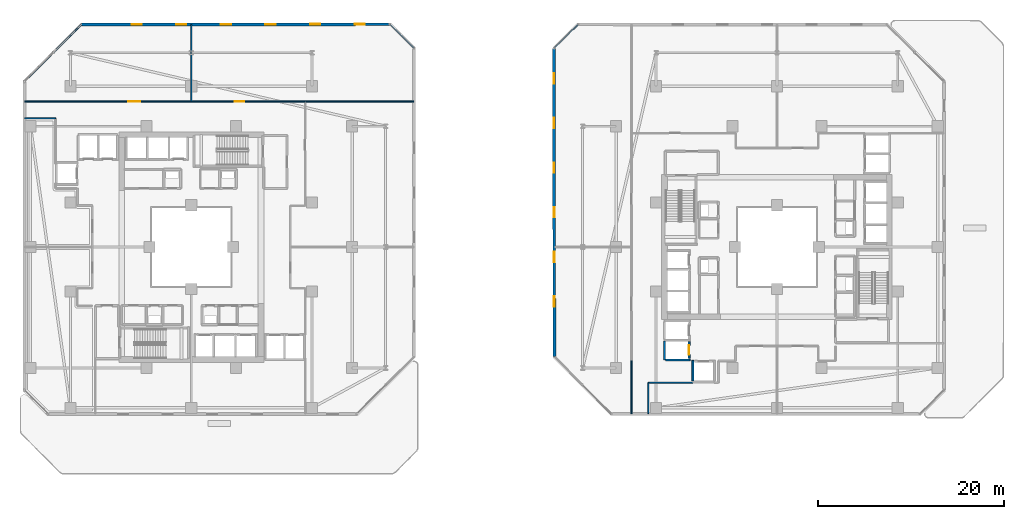
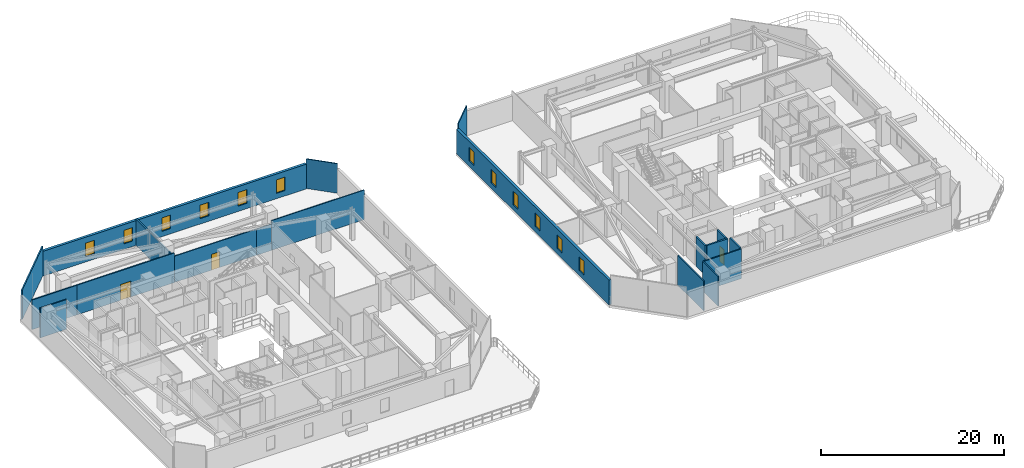
# One storey, part 19 of 30: 19 walls, 12 windows, 3 doors, 15 openings.
"""IFC4 building model written with IfcOpenShell, lengths in metres."""

from ifc_helpers import new_model, si_unit, direction, frame, frame_2d, origin, place, context, subcontext, project, spatial, rectangle, extrude, material, layer, layer_set, type_object, element, fill, save


model = new_model("IFC4")

# Units and contexts
model_context = context("Model", 3, precision=1e-05, world=origin(), true_north=direction((0.0, 1.0)))
body_context = subcontext(model_context, "Body", "Model", "MODEL_VIEW")
ifc_project = project(units=[si_unit("LENGTHUNIT", "METRE"), si_unit("AREAUNIT", "SQUARE_METRE"), si_unit("VOLUMEUNIT", "CUBIC_METRE"), si_unit("PLANEANGLEUNIT", "RADIAN"), si_unit("MASSUNIT", "GRAM", prefix="KILO")], contexts=[model_context])

# Site, building, storey
site_placement = place(None, origin())
site = spatial("IfcSite", under=ifc_project, at=site_placement, CompositionType="ELEMENT")
building_placement = place(site_placement, origin())
building = spatial("IfcBuilding", under=site, at=building_placement, Name="Thornwick Lancets Civic Towers", CompositionType="ELEMENT")
storey_placement = place(building_placement, frame((0.0, 0.0, 75.89990234375)))
storey = spatial("IfcBuildingStorey", under=building, at=storey_placement, Name="L19", CompositionType="ELEMENT", Elevation=75.89990234375)

# Wall, opening, door
ifc_material_1 = material(Name="Concrete blockwork C40/50", Category="masonry")
ifc_layer_1 = layer(ifc_material_1, 0.199951171875, Name="Concrete blockwork C40/50")
ifc_layer_set_1 = layer_set([ifc_layer_1], Name="Concrete blockwork C40/50")
wall_type_1 = type_object("IfcWallType", Name="WALL_COMP_200", PredefinedType="STANDARD", material=ifc_layer_set_1)
wall_1_placement = place(storey_placement, frame((79.050048828125, 15.030029296875, 0.0), z_axis=(0.0, 0.0, 1.0), x_axis=(0.0, 1.0, 0.0)))
wall_1 = element("IfcWall", 1, at=wall_1_placement, inside=storey, type_object=wall_type_1, Name="L19 Hoistway Front Wall PL-BM2", PredefinedType="STANDARD", context=body_context, shape_type="SweptSolid", body=[
    extrude(rectangle(XDim=1.7900390625, YDim=0.199951171875, at=frame_2d((0.89501953125, 0.0))), origin(), (0.0, 0.0, 1.0), 3.940185546875),
])
opening_1_placement = place(wall_1_placement, frame((0.385009765625, 0.0, 0.0)))
opening_1 = element("IfcOpeningElement", 2, at=opening_1_placement, cuts=wall_1, Name="Opening LD-PL-BM2", PredefinedType="OPENING", context=body_context, shape_type="SweptSolid", body=[
    extrude(rectangle(XDim=1.02001953125, YDim=2.06005859375, at=frame_2d((0.510009765625, 1.030029296875))), frame((0.0, 0.10986328125, 0.0), z_axis=(0.0, -1.0, 0.0), x_axis=(1.0, 0.0, 0.0)), (0.0, 0.0, 1.0), 0.219970703125),
])
ifc_material_2 = material(Name="Brushed bronze stainless steel", Category="steel")
door_type_1 = type_object("IfcDoorType", Name="DOOR_LIFT_SLIDE", OperationType="SLIDING_TO_LEFT", PredefinedType="DOOR", material=ifc_material_2)
door_1_placement = place(opening_1_placement, origin())
door_1 = element("IfcDoor", 3, at=door_1_placement, inside=storey, type_object=door_type_1, Name="L19 Sliding Lift Landing Door LD-PL-BM2", OperationType="SLIDING_TO_LEFT", OverallHeight=2.06005859375, OverallWidth=1.02001953125, PredefinedType="DOOR", context=body_context, shape_type="SweptSolid", body=[
    extrude(rectangle(XDim=1.02001953125, YDim=2.06005859375, at=frame_2d((0.510009765625, 1.030029296875))), frame((0.0, 0.02490234375, 0.0), z_axis=(0.0, -1.0, 0.0), x_axis=(1.0, 0.0, 0.0)), (0.0, 0.0, 1.0), 0.050048828125),
])
fill(opening_1, door_1)

# Walls
wall_2_placement = place(storey_placement, frame((76.39990234375, 14.85205078125, 0.0), z_axis=(0.0, 0.0, 1.0), x_axis=(0.0, 1.0, 0.0)))
element("IfcWall", 4, at=wall_2_placement, inside=storey, type_object=wall_type_1, Name="L19 Hoistway Shaft Wall PL-BM1 W", PredefinedType="STANDARD", context=body_context, shape_type="SweptSolid", body=[
    extrude(rectangle(XDim=2.015869140625, YDim=0.199951171875, at=frame_2d((1.0078125, 0.0))), origin(), (0.0, 0.0, 1.0), 3.940185546875),
])
wall_3_placement = place(storey_placement, frame((76.511962890625, 14.85009765625, 0.0), z_axis=(0.0, 0.0, 1.0), x_axis=(1.0, 0.0, 0.0)))
element("IfcWall", 5, at=wall_3_placement, inside=storey, type_object=wall_type_1, Name="L19 Hoistway Shaft Wall PL-BM2 S", PredefinedType="STANDARD", context=body_context, shape_type="SweptSolid", body=[
    extrude(rectangle(XDim=2.635986328125, YDim=0.199951171875, at=frame_2d((1.31787109375, 0.0))), origin(), (0.0, 0.0, 1.0), 3.940185546875),
])
wall_4_placement = place(storey_placement, frame((79.449951171875, 12.612060546875, 0.0), z_axis=(0.0, 0.0, 1.0), x_axis=(0.0, 1.0, 0.0)))
element("IfcWall", 6, at=wall_4_placement, inside=storey, type_object=wall_type_1, Name="L19 Hoistway Shaft Wall PL-BM3 W", PredefinedType="STANDARD", context=body_context, shape_type="SweptSolid", body=[
    extrude(rectangle(XDim=2.18603515625, YDim=0.199951171875, at=frame_2d((1.093017578125, 0.0))), origin(), (0.0, 0.0, 1.0), 3.940185546875),
])

# Wall, openings, windows
ifc_material_3 = material(Name="Insulated buff terracotta rainscreen on concrete C40/50", Category="masonry")
ifc_layer_2 = layer(ifc_material_3, 0.320068359375, Name="Insulated buff terracotta rainscreen on concrete C40/50")
ifc_layer_set_2 = layer_set([ifc_layer_2], Name="Insulated buff terracotta rainscreen on concrete C40/50")
wall_type_2 = type_object("IfcWallType", Name="WALL_EXT_TERRA_320", PredefinedType="STANDARD", material=ifc_layer_set_2)
wall_5_placement = place(storey_placement, frame((46.88134765625, 50.964599609375, 0.0), z_axis=(0.0, 0.0, 1.0), x_axis=(-0.99999993762, -0.000353213856, 0.0)))
wall_5 = element("IfcWall", 7, at=wall_5_placement, inside=storey, type_object=wall_type_2, Name="L19 Tower A Terracotta Facade Wall E4", PredefinedType="STANDARD", context=body_context, shape_type="SweptSolid", body=[
    extrude(rectangle(XDim=33.177490234375, YDim=0.320068359375, at=frame_2d((16.5888671875, 0.0))), origin(), (0.0, 0.0, 1.0), 3.300048828125),
])
opening_2_placement = place(wall_5_placement, frame((2.699951171875, 0.0, 0.719970703125)))
opening_2 = element("IfcOpeningElement", 8, at=opening_2_placement, cuts=wall_5, Name="Opening WL-02", PredefinedType="OPENING", context=body_context, shape_type="SweptSolid", body=[
    extrude(rectangle(XDim=1.10009765625, YDim=1.800048828125, at=frame_2d((0.550048828125, 0.89990234375))), frame((0.0, 0.169921875, 0.0), z_axis=(0.0, -1.0, 0.0), x_axis=(1.0, 0.0, 0.0)), (0.0, 0.0, 1.0), 0.340087890625),
])
opening_3_placement = place(wall_5_placement, frame((7.5, 0.0, 0.719970703125)))
opening_3 = element("IfcOpeningElement", 9, at=opening_3_placement, cuts=wall_5, Name="Opening WL-02", PredefinedType="OPENING", context=body_context, shape_type="SweptSolid", body=[
    extrude(rectangle(XDim=1.10009765625, YDim=1.800048828125, at=frame_2d((0.550048828125, 0.89990234375))), frame((0.0, 0.169921875, 0.0), z_axis=(0.0, -1.0, 0.0), x_axis=(1.0, 0.0, 0.0)), (0.0, 0.0, 1.0), 0.340087890625),
])
opening_4_placement = place(wall_5_placement, frame((12.300048828125, 0.0, 0.719970703125)))
opening_4 = element("IfcOpeningElement", 10, at=opening_4_placement, cuts=wall_5, Name="Opening WL-02", PredefinedType="OPENING", context=body_context, shape_type="SweptSolid", body=[
    extrude(rectangle(XDim=1.10009765625, YDim=1.800048828125, at=frame_2d((0.550048828125, 0.89990234375))), frame((0.0, 0.169921875, 0.0), z_axis=(0.0, -1.0, 0.0), x_axis=(1.0, 0.0, 0.0)), (0.0, 0.0, 1.0), 0.340087890625),
])
opening_5_placement = place(wall_5_placement, frame((17.10009765625, 0.0, 0.719970703125)))
opening_5 = element("IfcOpeningElement", 11, at=opening_5_placement, cuts=wall_5, Name="Opening WL-02", PredefinedType="OPENING", context=body_context, shape_type="SweptSolid", body=[
    extrude(rectangle(XDim=1.10009765625, YDim=1.800048828125, at=frame_2d((0.550048828125, 0.89990234375))), frame((0.0, 0.169921875, 0.0), z_axis=(0.0, -1.0, 0.0), x_axis=(1.0, 0.0, 0.0)), (0.0, 0.0, 1.0), 0.340087890625),
])
opening_6_placement = place(wall_5_placement, frame((21.89990234375, 0.0, 0.719970703125)))
opening_6 = element("IfcOpeningElement", 12, at=opening_6_placement, cuts=wall_5, Name="Opening WL-02", PredefinedType="OPENING", context=body_context, shape_type="SweptSolid", body=[
    extrude(rectangle(XDim=1.10009765625, YDim=1.800048828125, at=frame_2d((0.550048828125, 0.89990234375))), frame((0.0, 0.169921875, 0.0), z_axis=(0.0, -1.0, 0.0), x_axis=(1.0, 0.0, 0.0)), (0.0, 0.0, 1.0), 0.340087890625),
])
opening_7_placement = place(wall_5_placement, frame((26.699951171875, 0.0, 0.719970703125)))
opening_7 = element("IfcOpeningElement", 13, at=opening_7_placement, cuts=wall_5, Name="Opening WL-02", PredefinedType="OPENING", context=body_context, shape_type="SweptSolid", body=[
    extrude(rectangle(XDim=1.10009765625, YDim=1.800048828125, at=frame_2d((0.550048828125, 0.89990234375))), frame((0.0, 0.169921875, 0.0), z_axis=(0.0, -1.0, 0.0), x_axis=(1.0, 0.0, 0.0)), (0.0, 0.0, 1.0), 0.340087890625),
])
ifc_material_4 = material(Name="Clear low-e double glazing in bronze frame", Category="glass")
window_type = type_object("IfcWindowType", Name="WIN_LANCET_1100", PartitioningType="SINGLE_PANEL", PredefinedType="WINDOW", material=ifc_material_4)
window_1_placement = place(opening_2_placement, origin())
window_1 = element("IfcWindow", 14, at=window_1_placement, inside=storey, type_object=window_type, Name="L19 Tower A Staggered Lancet Window E4-1", OverallHeight=1.800048828125, OverallWidth=1.10009765625, PartitioningType="SINGLE_PANEL", PredefinedType="WINDOW", context=body_context, shape_type="SweptSolid", body=[
    extrude(rectangle(XDim=1.10009765625, YDim=1.800048828125, at=frame_2d((0.550048828125, 0.89990234375))), frame((0.0, 0.030029296875, 0.0), z_axis=(0.0, -1.0, 0.0), x_axis=(1.0, 0.0, 0.0)), (0.0, 0.0, 1.0), 0.06005859375),
])
fill(opening_2, window_1)
window_2_placement = place(opening_3_placement, origin())
window_2 = element("IfcWindow", 15, at=window_2_placement, inside=storey, type_object=window_type, Name="L19 Tower A Staggered Lancet Window E4-2", OverallHeight=1.800048828125, OverallWidth=1.10009765625, PartitioningType="SINGLE_PANEL", PredefinedType="WINDOW", context=body_context, shape_type="SweptSolid", body=[
    extrude(rectangle(XDim=1.10009765625, YDim=1.800048828125, at=frame_2d((0.550048828125, 0.89990234375))), frame((0.0, 0.030029296875, 0.0), z_axis=(0.0, -1.0, 0.0), x_axis=(1.0, 0.0, 0.0)), (0.0, 0.0, 1.0), 0.06005859375),
])
fill(opening_3, window_2)
window_3_placement = place(opening_4_placement, origin())
window_3 = element("IfcWindow", 16, at=window_3_placement, inside=storey, type_object=window_type, Name="L19 Tower A Staggered Lancet Window E4-3", OverallHeight=1.800048828125, OverallWidth=1.10009765625, PartitioningType="SINGLE_PANEL", PredefinedType="WINDOW", context=body_context, shape_type="SweptSolid", body=[
    extrude(rectangle(XDim=1.10009765625, YDim=1.800048828125, at=frame_2d((0.550048828125, 0.89990234375))), frame((0.0, 0.030029296875, 0.0), z_axis=(0.0, -1.0, 0.0), x_axis=(1.0, 0.0, 0.0)), (0.0, 0.0, 1.0), 0.06005859375),
])
fill(opening_4, window_3)
window_4_placement = place(opening_5_placement, origin())
window_4 = element("IfcWindow", 17, at=window_4_placement, inside=storey, type_object=window_type, Name="L19 Tower A Staggered Lancet Window E4-4", OverallHeight=1.800048828125, OverallWidth=1.10009765625, PartitioningType="SINGLE_PANEL", PredefinedType="WINDOW", context=body_context, shape_type="SweptSolid", body=[
    extrude(rectangle(XDim=1.10009765625, YDim=1.800048828125, at=frame_2d((0.550048828125, 0.89990234375))), frame((0.0, 0.030029296875, 0.0), z_axis=(0.0, -1.0, 0.0), x_axis=(1.0, 0.0, 0.0)), (0.0, 0.0, 1.0), 0.06005859375),
])
fill(opening_5, window_4)
window_5_placement = place(opening_6_placement, origin())
window_5 = element("IfcWindow", 18, at=window_5_placement, inside=storey, type_object=window_type, Name="L19 Tower A Staggered Lancet Window E4-5", OverallHeight=1.800048828125, OverallWidth=1.10009765625, PartitioningType="SINGLE_PANEL", PredefinedType="WINDOW", context=body_context, shape_type="SweptSolid", body=[
    extrude(rectangle(XDim=1.10009765625, YDim=1.800048828125, at=frame_2d((0.550048828125, 0.89990234375))), frame((0.0, 0.030029296875, 0.0), z_axis=(0.0, -1.0, 0.0), x_axis=(1.0, 0.0, 0.0)), (0.0, 0.0, 1.0), 0.06005859375),
])
fill(opening_6, window_5)
window_6_placement = place(opening_7_placement, origin())
window_6 = element("IfcWindow", 19, at=window_6_placement, inside=storey, type_object=window_type, Name="L19 Tower A Staggered Lancet Window E4-6", OverallHeight=1.800048828125, OverallWidth=1.10009765625, PartitioningType="SINGLE_PANEL", PredefinedType="WINDOW", context=body_context, shape_type="SweptSolid", body=[
    extrude(rectangle(XDim=1.10009765625, YDim=1.800048828125, at=frame_2d((0.550048828125, 0.89990234375))), frame((0.0, 0.030029296875, 0.0), z_axis=(0.0, -1.0, 0.0), x_axis=(1.0, 0.0, 0.0)), (0.0, 0.0, 1.0), 0.06005859375),
])
fill(opening_7, window_6)

wall_6_placement = place(storey_placement, frame((64.535400390625, 48.38134765625, 0.0), z_axis=(0.0, 0.0, 1.0), x_axis=(0.000353213856, -0.99999993762, 0.0)))
wall_6 = element("IfcWall", 20, at=wall_6_placement, inside=storey, type_object=wall_type_2, Name="L19 Tower B Terracotta Facade Wall E6", PredefinedType="STANDARD", context=body_context, shape_type="SweptSolid", body=[
    extrude(rectangle(XDim=33.177490234375, YDim=0.320068359375, at=frame_2d((16.5888671875, 0.0))), origin(), (0.0, 0.0, 1.0), 3.300048828125),
])
opening_8_placement = place(wall_6_placement, frame((2.699951171875, 0.0, 0.719970703125)))
opening_8 = element("IfcOpeningElement", 21, at=opening_8_placement, cuts=wall_6, Name="Opening WL-02", PredefinedType="OPENING", context=body_context, shape_type="SweptSolid", body=[
    extrude(rectangle(XDim=1.10009765625, YDim=1.800048828125, at=frame_2d((0.550048828125, 0.89990234375))), frame((0.0, 0.169921875, 0.0), z_axis=(0.0, -1.0, 0.0), x_axis=(1.0, 0.0, 0.0)), (0.0, 0.0, 1.0), 0.340087890625),
])
opening_9_placement = place(wall_6_placement, frame((7.5, 0.0, 0.719970703125)))
opening_9 = element("IfcOpeningElement", 22, at=opening_9_placement, cuts=wall_6, Name="Opening WL-02", PredefinedType="OPENING", context=body_context, shape_type="SweptSolid", body=[
    extrude(rectangle(XDim=1.10009765625, YDim=1.800048828125, at=frame_2d((0.550048828125, 0.89990234375))), frame((0.0, 0.169921875, 0.0), z_axis=(0.0, -1.0, 0.0), x_axis=(1.0, 0.0, 0.0)), (0.0, 0.0, 1.0), 0.340087890625),
])
opening_10_placement = place(wall_6_placement, frame((12.300048828125, 0.0, 0.719970703125)))
opening_10 = element("IfcOpeningElement", 23, at=opening_10_placement, cuts=wall_6, Name="Opening WL-02", PredefinedType="OPENING", context=body_context, shape_type="SweptSolid", body=[
    extrude(rectangle(XDim=1.10009765625, YDim=1.800048828125, at=frame_2d((0.550048828125, 0.89990234375))), frame((0.0, 0.169921875, 0.0), z_axis=(0.0, -1.0, 0.0), x_axis=(1.0, 0.0, 0.0)), (0.0, 0.0, 1.0), 0.340087890625),
])
opening_11_placement = place(wall_6_placement, frame((17.10009765625, 0.0, 0.719970703125)))
opening_11 = element("IfcOpeningElement", 24, at=opening_11_placement, cuts=wall_6, Name="Opening WL-02", PredefinedType="OPENING", context=body_context, shape_type="SweptSolid", body=[
    extrude(rectangle(XDim=1.10009765625, YDim=1.800048828125, at=frame_2d((0.550048828125, 0.89990234375))), frame((0.0, 0.169921875, 0.0), z_axis=(0.0, -1.0, 0.0), x_axis=(1.0, 0.0, 0.0)), (0.0, 0.0, 1.0), 0.340087890625),
])
opening_12_placement = place(wall_6_placement, frame((21.89990234375, 0.0, 0.719970703125)))
opening_12 = element("IfcOpeningElement", 25, at=opening_12_placement, cuts=wall_6, Name="Opening WL-02", PredefinedType="OPENING", context=body_context, shape_type="SweptSolid", body=[
    extrude(rectangle(XDim=1.10009765625, YDim=1.800048828125, at=frame_2d((0.550048828125, 0.89990234375))), frame((0.0, 0.169921875, 0.0), z_axis=(0.0, -1.0, 0.0), x_axis=(1.0, 0.0, 0.0)), (0.0, 0.0, 1.0), 0.340087890625),
])
opening_13_placement = place(wall_6_placement, frame((26.699951171875, 0.0, 0.719970703125)))
opening_13 = element("IfcOpeningElement", 26, at=opening_13_placement, cuts=wall_6, Name="Opening WL-02", PredefinedType="OPENING", context=body_context, shape_type="SweptSolid", body=[
    extrude(rectangle(XDim=1.10009765625, YDim=1.800048828125, at=frame_2d((0.550048828125, 0.89990234375))), frame((0.0, 0.169921875, 0.0), z_axis=(0.0, -1.0, 0.0), x_axis=(1.0, 0.0, 0.0)), (0.0, 0.0, 1.0), 0.340087890625),
])
window_7_placement = place(opening_8_placement, origin())
window_7 = element("IfcWindow", 27, at=window_7_placement, inside=storey, type_object=window_type, Name="L19 Tower B Staggered Lancet Window E6-1", OverallHeight=1.800048828125, OverallWidth=1.10009765625, PartitioningType="SINGLE_PANEL", PredefinedType="WINDOW", context=body_context, shape_type="SweptSolid", body=[
    extrude(rectangle(XDim=1.10009765625, YDim=1.800048828125, at=frame_2d((0.550048828125, 0.89990234375))), frame((0.0, 0.030029296875, 0.0), z_axis=(0.0, -1.0, 0.0), x_axis=(1.0, 0.0, 0.0)), (0.0, 0.0, 1.0), 0.06005859375),
])
fill(opening_8, window_7)
window_8_placement = place(opening_9_placement, origin())
window_8 = element("IfcWindow", 28, at=window_8_placement, inside=storey, type_object=window_type, Name="L19 Tower B Staggered Lancet Window E6-2", OverallHeight=1.800048828125, OverallWidth=1.10009765625, PartitioningType="SINGLE_PANEL", PredefinedType="WINDOW", context=body_context, shape_type="SweptSolid", body=[
    extrude(rectangle(XDim=1.10009765625, YDim=1.800048828125, at=frame_2d((0.550048828125, 0.89990234375))), frame((0.0, 0.030029296875, 0.0), z_axis=(0.0, -1.0, 0.0), x_axis=(1.0, 0.0, 0.0)), (0.0, 0.0, 1.0), 0.06005859375),
])
fill(opening_9, window_8)
window_9_placement = place(opening_10_placement, origin())
window_9 = element("IfcWindow", 29, at=window_9_placement, inside=storey, type_object=window_type, Name="L19 Tower B Staggered Lancet Window E6-3", OverallHeight=1.800048828125, OverallWidth=1.10009765625, PartitioningType="SINGLE_PANEL", PredefinedType="WINDOW", context=body_context, shape_type="SweptSolid", body=[
    extrude(rectangle(XDim=1.10009765625, YDim=1.800048828125, at=frame_2d((0.550048828125, 0.89990234375))), frame((0.0, 0.030029296875, 0.0), z_axis=(0.0, -1.0, 0.0), x_axis=(1.0, 0.0, 0.0)), (0.0, 0.0, 1.0), 0.06005859375),
])
fill(opening_10, window_9)
window_10_placement = place(opening_11_placement, origin())
window_10 = element("IfcWindow", 30, at=window_10_placement, inside=storey, type_object=window_type, Name="L19 Tower B Staggered Lancet Window E6-4", OverallHeight=1.800048828125, OverallWidth=1.10009765625, PartitioningType="SINGLE_PANEL", PredefinedType="WINDOW", context=body_context, shape_type="SweptSolid", body=[
    extrude(rectangle(XDim=1.10009765625, YDim=1.800048828125, at=frame_2d((0.550048828125, 0.89990234375))), frame((0.0, 0.030029296875, 0.0), z_axis=(0.0, -1.0, 0.0), x_axis=(1.0, 0.0, 0.0)), (0.0, 0.0, 1.0), 0.06005859375),
])
fill(opening_11, window_10)
window_11_placement = place(opening_12_placement, origin())
window_11 = element("IfcWindow", 31, at=window_11_placement, inside=storey, type_object=window_type, Name="L19 Tower B Staggered Lancet Window E6-5", OverallHeight=1.800048828125, OverallWidth=1.10009765625, PartitioningType="SINGLE_PANEL", PredefinedType="WINDOW", context=body_context, shape_type="SweptSolid", body=[
    extrude(rectangle(XDim=1.10009765625, YDim=1.800048828125, at=frame_2d((0.550048828125, 0.89990234375))), frame((0.0, 0.030029296875, 0.0), z_axis=(0.0, -1.0, 0.0), x_axis=(1.0, 0.0, 0.0)), (0.0, 0.0, 1.0), 0.06005859375),
])
fill(opening_12, window_11)
window_12_placement = place(opening_13_placement, origin())
window_12 = element("IfcWindow", 32, at=window_12_placement, inside=storey, type_object=window_type, Name="L19 Tower B Staggered Lancet Window E6-6", OverallHeight=1.800048828125, OverallWidth=1.10009765625, PartitioningType="SINGLE_PANEL", PredefinedType="WINDOW", context=body_context, shape_type="SweptSolid", body=[
    extrude(rectangle(XDim=1.10009765625, YDim=1.800048828125, at=frame_2d((0.550048828125, 0.89990234375))), frame((0.0, 0.030029296875, 0.0), z_axis=(0.0, -1.0, 0.0), x_axis=(1.0, 0.0, 0.0)), (0.0, 0.0, 1.0), 0.06005859375),
])
fill(opening_13, window_12)

# Walls
ifc_material_5 = material(Name="Acoustic gypsum board partition")
ifc_layer_3 = layer(ifc_material_5, 0.1201171875, Name="Acoustic gypsum board partition")
ifc_layer_set_3 = layer_set([ifc_layer_3], Name="Acoustic gypsum board partition")
wall_type_3 = type_object("IfcWallType", Name="WALL_PART_120", PredefinedType="PARTITIONING", material=ifc_layer_set_3)
wall_7_placement = place(storey_placement, frame((37.75, 42.64990234375, 0.0), z_axis=(0.0, 0.0, 1.0), x_axis=(1.0, 0.0, 0.0)))
element("IfcWall", 33, at=wall_7_placement, inside=storey, type_object=wall_type_3, Name="L19 Partition L19-A-E2 E4", PredefinedType="PARTITIONING", context=body_context, shape_type="SweptSolid", body=[
    extrude(rectangle(XDim=11.669921875, YDim=0.1201171875, at=frame_2d((5.8349609375, 0.0))), origin(), (0.0, 0.0, 1.0), 3.940185546875),
])
wall_8_placement = place(storey_placement, frame((37.75, 42.64990234375, 0.0), z_axis=(0.0, 0.0, 1.0), x_axis=(-1.0, 0.0, 0.0)))
element("IfcWall", 34, at=wall_8_placement, inside=storey, type_object=wall_type_3, Name="L19 Partition L19-A-N-OFF E1", PredefinedType="PARTITIONING", context=body_context, shape_type="SweptSolid", body=[
    extrude(rectangle(XDim=1.89990234375, YDim=0.1201171875, at=frame_2d((0.949951171875, 0.0))), origin(), (0.0, 0.0, 1.0), 3.4951171875),
])

# Wall, opening, door
wall_9_placement = place(storey_placement, frame((35.85009765625, 42.64990234375, 0.0), z_axis=(0.0, 0.0, 1.0), x_axis=(-1.0, 0.0, 0.0)))
wall_9 = element("IfcWall", 35, at=wall_9_placement, inside=storey, type_object=wall_type_3, Name="L19 Partition L19-A-N-OFF E2", PredefinedType="PARTITIONING", context=body_context, shape_type="SweptSolid", body=[
    extrude(rectangle(XDim=10.35009765625, YDim=0.1201171875, at=frame_2d((5.175048828125, 0.0))), origin(), (0.0, 0.0, 1.0), 3.4951171875),
])
opening_14_placement = place(wall_9_placement, frame((4.64990234375, 0.0, 0.0)))
opening_14 = element("IfcOpeningElement", 36, at=opening_14_placement, cuts=wall_9, Name="Opening D-L19-0920", PredefinedType="OPENING", context=body_context, shape_type="SweptSolid", body=[
    extrude(rectangle(XDim=1.050048828125, YDim=2.10009765625, at=frame_2d((0.52490234375, 1.050048828125))), frame((0.0, 0.070068359375, 0.0), z_axis=(0.0, -1.0, 0.0), x_axis=(1.0, 0.0, 0.0)), (0.0, 0.0, 1.0), 0.14013671875),
])
ifc_material_6 = material(Name="Glazed European oak executive doorset")
door_type_2 = type_object("IfcDoorType", Name="DOOR_OFFICE_1050", OperationType="NOTDEFINED", PredefinedType="DOOR", material=ifc_material_6)
door_2_placement = place(opening_14_placement, origin())
door_2 = element("IfcDoor", 37, at=door_2_placement, inside=storey, type_object=door_type_2, Name="L19 Tower A North Policy Office Door", OperationType="SINGLE_SWING_LEFT", OverallHeight=2.10009765625, OverallWidth=1.050048828125, PredefinedType="DOOR", context=body_context, shape_type="SweptSolid", body=[
    extrude(rectangle(XDim=1.050048828125, YDim=2.10009765625, at=frame_2d((0.52490234375, 1.050048828125))), frame((0.0, 0.02490234375, 0.0), z_axis=(0.0, -1.0, 0.0), x_axis=(1.0, 0.0, 0.0)), (0.0, 0.0, 1.0), 0.050048828125),
])
fill(opening_14, door_2)

# Walls
for number, where, z_axis, x_axis, name in (
    (38, (46.92529296875, 50.919921875, 0.0), (0.0, 0.0, 1.0), (0.707106781187, -0.707106781187, 0.0), "L19 Partition L19-A-N-OFF E5"),
    (39, (64.580078125, 48.42529296875, 0.0), (0.0, 0.0, 1.0), (0.707106781187, 0.707106781187, 0.0), "L19 Partition L19-B-N-OFF E2"),
):
    element("IfcWall", number, at=place(storey_placement, frame(where, z_axis=z_axis, x_axis=x_axis)), inside=storey, type_object=wall_type_3, Name=name, PredefinedType="PARTITIONING", context=body_context, shape_type="SweptSolid", body=[
        extrude(rectangle(XDim=3.52783203125, YDim=0.1201171875, at=frame_2d((1.763916015625, 0.0))), origin(), (0.0, 0.0, 1.0), 3.940185546875),
    ])
ifc_material_7 = material(Name="Twin-stud acoustic gypsum board")
ifc_layer_4 = layer(ifc_material_7, 0.14990234375, Name="Twin-stud acoustic gypsum board")
ifc_layer_set_4 = layer_set([ifc_layer_4], Name="Twin-stud acoustic gypsum board")
wall_type_4 = type_object("IfcWallType", Name="WALL_PART_150", PredefinedType="PARTITIONING", material=ifc_layer_set_4)
wall_10_placement = place(storey_placement, frame((7.580078125, 40.85009765625, 0.0), z_axis=(0.0, 0.0, 1.0), x_axis=(1.0, 0.0, 0.0)))
element("IfcWall", 40, at=wall_10_placement, inside=storey, type_object=wall_type_4, Name="L19 Partition L19-A-W2 E8", PredefinedType="PARTITIONING", context=body_context, shape_type="SweptSolid", body=[
    extrude(rectangle(XDim=3.31982421875, YDim=0.14990234375, at=frame_2d((1.659912109375, 0.0))), origin(), (0.0, 0.0, 1.0), 3.940185546875),
])
wall_11_placement = place(storey_placement, frame((13.25, 42.64990234375, 0.0), z_axis=(0.0, 0.0, 1.0), x_axis=(-1.0, 0.0, 0.0)))
element("IfcWall", 41, at=wall_11_placement, inside=storey, type_object=wall_type_4, Name="L19 Partition L19-A-N-CONF E1", PredefinedType="PARTITIONING", context=body_context, shape_type="SweptSolid", body=[
    extrude(rectangle(XDim=5.669921875, YDim=0.14990234375, at=frame_2d((2.8349609375, 0.0))), origin(), (0.0, 0.0, 1.0), 3.940185546875),
])
wall_12_placement = place(storey_placement, frame((7.580078125, 44.825439453125, 0.0), z_axis=(0.0, 0.0, 1.0), x_axis=(0.707106781187, 0.707106781187, 0.0)))
element("IfcWall", 42, at=wall_12_placement, inside=storey, type_object=wall_type_4, Name="L19 Partition L19-A-N-CONF E3", PredefinedType="PARTITIONING", context=body_context, shape_type="SweptSolid", body=[
    extrude(rectangle(XDim=8.618896484375, YDim=0.14990234375, at=frame_2d((4.3095703125, 0.0))), origin(), (0.0, 0.0, 1.0), 3.940185546875),
])
wall_13_placement = place(storey_placement, frame((25.5, 50.919921875, 0.0), z_axis=(0.0, 0.0, 1.0), x_axis=(0.0, -1.0, 0.0)))
element("IfcWall", 43, at=wall_13_placement, inside=storey, type_object=wall_type_4, Name="L19 Partition L19-A-N-CONF E5", PredefinedType="PARTITIONING", context=body_context, shape_type="SweptSolid", body=[
    extrude(rectangle(XDim=8.27001953125, YDim=0.14990234375, at=frame_2d((4.135009765625, 0.0))), origin(), (0.0, 0.0, 1.0), 3.481689453125),
])

# Wall, opening, door
wall_14_placement = place(storey_placement, frame((25.5, 42.64990234375, 0.0), z_axis=(0.0, 0.0, 1.0), x_axis=(-1.0, 0.0, 0.0)))
wall_14 = element("IfcWall", 44, at=wall_14_placement, inside=storey, type_object=wall_type_4, Name="L19 Partition L19-A-N-CONF E6", PredefinedType="PARTITIONING", context=body_context, shape_type="SweptSolid", body=[
    extrude(rectangle(XDim=12.25, YDim=0.14990234375, at=frame_2d((6.125, 0.0))), origin(), (0.0, 0.0, 1.0), 3.940185546875),
])
opening_15_placement = place(wall_14_placement, frame((5.47509765625, 0.0, 0.0)))
opening_15 = element("IfcOpeningElement", 45, at=opening_15_placement, cuts=wall_14, Name="Opening D-L19-0919", PredefinedType="OPENING", context=body_context, shape_type="SweptSolid", body=[
    extrude(rectangle(XDim=1.300048828125, YDim=2.1201171875, at=frame_2d((0.64990234375, 1.06005859375))), frame((0.0, 0.0849609375, 0.0), z_axis=(0.0, -1.0, 0.0), x_axis=(1.0, 0.0, 0.0)), (0.0, 0.0, 1.0), 0.169921875),
])
ifc_material_8 = material(Name="Acoustic oak leaf-and-a-half doorset")
door_type_3 = type_object("IfcDoorType", Name="DOOR_MEET_1300", OperationType="DOUBLE_DOOR_SINGLE_SWING", PredefinedType="DOOR", material=ifc_material_8)
door_3_placement = place(opening_15_placement, origin())
door_3 = element("IfcDoor", 46, at=door_3_placement, inside=storey, type_object=door_type_3, Name="L19 Tower A North Conference Room Door", OperationType="DOUBLE_DOOR_SINGLE_SWING", OverallHeight=2.1201171875, OverallWidth=1.300048828125, PredefinedType="DOOR", context=body_context, shape_type="SweptSolid", body=[
    extrude(rectangle(XDim=1.300048828125, YDim=2.1201171875, at=frame_2d((0.64990234375, 1.06005859375))), frame((0.0, 0.02490234375, 0.0), z_axis=(0.0, -1.0, 0.0), x_axis=(1.0, 0.0, 0.0)), (0.0, 0.0, 1.0), 0.050048828125),
])
fill(opening_15, door_3)

# Walls
wall_15_placement = place(storey_placement, frame((74.64990234375, 9.080078125, 0.0), z_axis=(0.0, 0.0, 1.0), x_axis=(0.0, 1.0, 0.0)))
element("IfcWall", 47, at=wall_15_placement, inside=storey, type_object=wall_type_4, Name="L19 Partition L19-B-W2 E8", PredefinedType="PARTITIONING", context=body_context, shape_type="SweptSolid", body=[
    extrude(rectangle(XDim=3.31982421875, YDim=0.14990234375, at=frame_2d((1.659912109375, 0.0))), origin(), (0.0, 0.0, 1.0), 3.940185546875),
])
wall_16_placement = place(storey_placement, frame((74.64990234375, 12.39990234375, 0.0), z_axis=(0.0, 0.0, 1.0), x_axis=(1.0, 0.0, 0.0)))
element("IfcWall", 48, at=wall_16_placement, inside=storey, type_object=wall_type_4, Name="L19 Partition L19-B-W2 E9", PredefinedType="PARTITIONING", context=body_context, shape_type="SweptSolid", body=[
    extrude(rectangle(XDim=4.802001953125, YDim=0.14990234375, at=frame_2d((2.40087890625, 0.0))), origin(), (0.0, 0.0, 1.0), 3.940185546875),
])
wall_17_placement = place(storey_placement, frame((72.85009765625, 14.75, 0.0), z_axis=(0.0, 0.0, 1.0), x_axis=(0.0, -1.0, 0.0)))
element("IfcWall", 49, at=wall_17_placement, inside=storey, type_object=wall_type_4, Name="L19 Partition L19-B-N-CONF E1", PredefinedType="PARTITIONING", context=body_context, shape_type="SweptSolid", body=[
    extrude(rectangle(XDim=5.669921875, YDim=0.14990234375, at=frame_2d((2.8349609375, 0.0))), origin(), (0.0, 0.0, 1.0), 3.940185546875),
])

save(model, "model.ifc")
